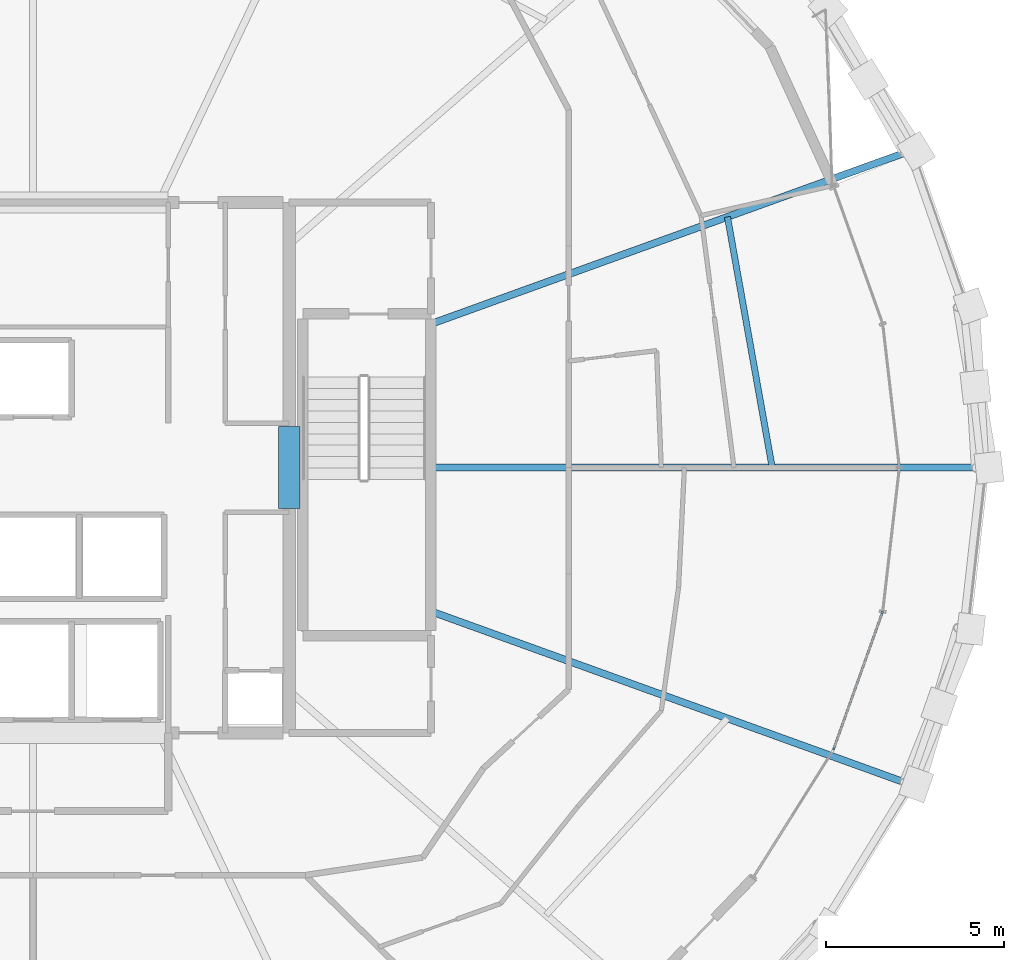
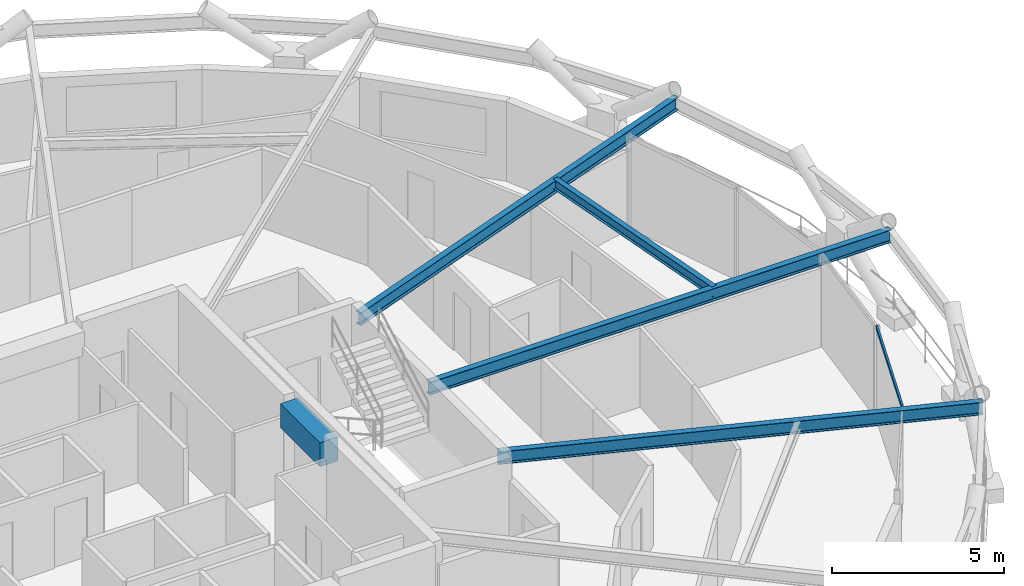
# One storey, part 7 of 16: 5 beams, 1 member, 1 element without a shape of its own.
"""IFC4 building model written with IfcOpenShell, lengths in metres."""

from ifc_helpers import new_model, si_unit, direction, frame, origin, origin_2d, place, context, subcontext, project, spatial, rectangle, hollow_rectangle, i_section, extrude, material, layer, layer_set, material_profile, profile_set, type_object, element, aggregate, save


model = new_model("IFC4")

# Units and contexts
model_context = context("Model", 3, precision=1e-05, world=origin(), true_north=direction((0.0, 1.0)))
body_context = subcontext(model_context, "Body", "Model", "MODEL_VIEW")
ifc_project = project(units=[si_unit("LENGTHUNIT", "METRE"), si_unit("AREAUNIT", "SQUARE_METRE"), si_unit("VOLUMEUNIT", "CUBIC_METRE"), si_unit("PLANEANGLEUNIT", "RADIAN"), si_unit("MASSUNIT", "GRAM", prefix="KILO")], contexts=[model_context])

# Site, building, storey
site_placement = place(None, origin())
site = spatial("IfcSite", under=ifc_project, at=site_placement, CompositionType="ELEMENT")
building_placement = place(site_placement, origin())
building = spatial("IfcBuilding", under=site, at=building_placement, Name="Veldorina Hangang Commons", CompositionType="ELEMENT")
storey_placement = place(building_placement, frame((0.0, 0.0, 192.800048828125)))
storey = spatial("IfcBuildingStorey", under=building, at=storey_placement, Name="L50", CompositionType="ELEMENT", Elevation=192.800048828125)

# Beams
ifc_material_1 = material(Name="Concrete C60/75", Category="concrete")
ifc_material_profile_1 = material_profile(ifc_material_1, rectangle(XDim=0.60009765625, YDim=0.85009765625, at=origin_2d()), Name="RC-CB-600x850")
ifc_profile_set_1 = profile_set([ifc_material_profile_1], Name="Concrete C60/75")
beam_type_1 = type_object("IfcBeamType", Name="BM-CB850", PredefinedType="LINTEL", material=ifc_profile_set_1)
beam_1_placement = place(storey_placement, frame((39.199951171875, 22.85009765625, 2.925048828125), z_axis=(0.0, 1.0, 0.0), x_axis=(-1.0, 0.0, 0.0)))
element("IfcBeam", 1, at=beam_1_placement, inside=storey, type_object=beam_type_1, Name="L50 E core coupling lintel beam", PredefinedType="LINTEL", context=body_context, shape_type="SweptSolid", body=[
    extrude(rectangle(XDim=0.60009765625, YDim=0.85009765625, at=origin_2d()), origin(), (0.0, 0.0, 1.0), 2.2998046875),
])
ifc_material_2 = material(Name="Steel SM355-TMC", Category="steel")
ifc_material_profile_2 = material_profile(ifc_material_2, i_section(OverallWidth=0.199951171875, OverallDepth=0.449951171875, WebThickness=0.009033203125, FlangeThickness=0.013916015625, FilletRadius=0.01611328125, at=origin_2d()), Name="H-450x200x9x14")
ifc_profile_set_2 = profile_set([ifc_material_profile_2], Name="Steel SM355-TMC")
beam_type_2 = type_object("IfcBeamType", Name="BM-FG450", PredefinedType="BEAM", material=ifc_profile_set_2)
beam_2_placement = place(storey_placement, frame((43.179931640625, 24.0, 3.125), z_axis=(1.0, 0.0, 0.0), x_axis=(0.0, 1.0, 0.0)))
element("IfcBeam", 2, at=beam_2_placement, inside=storey, type_object=beam_type_2, Name="L50 radial floor girder 01", PredefinedType="BEAM", context=body_context, shape_type="SweptSolid", body=[
    extrude(i_section(OverallWidth=0.199951171875, OverallDepth=0.449951171875, WebThickness=0.009033203125, FlangeThickness=0.013916015625, FilletRadius=0.01611328125, at=origin_2d()), origin(), (0.0, 0.0, 1.0), 15.466552734375),
])
for number, where, z_axis, x_axis, name in (
    (3, (43.179931640625, 28.037109375, 3.125), (0.940560874687, 0.339625147785, 0.0), (-0.339625147785, 0.940560874687, 0.0), "L50 radial floor girder 02"),
    (4, (43.179931640625, 19.962890625, 3.125), (0.940560874687, -0.339625147785, 0.0), (0.339625147785, 0.940560874687, 0.0), "L50 radial floor girder 16"),
):
    element("IfcBeam", number, at=place(storey_placement, frame(where, z_axis=z_axis, x_axis=x_axis)), inside=storey, type_object=beam_type_2, Name=name, PredefinedType="BEAM", context=body_context, shape_type="SweptSolid", body=[
        extrude(i_section(OverallWidth=0.199951171875, OverallDepth=0.449951171875, WebThickness=0.009033203125, FlangeThickness=0.013916015625, FilletRadius=0.01611328125, at=origin_2d()), origin(), (0.0, 0.0, 1.0), 14.287109375),
    ])
ifc_material_profile_3 = material_profile(ifc_material_2, i_section(OverallWidth=0.175048828125, OverallDepth=0.35009765625, WebThickness=0.007080078125, FlangeThickness=0.010986328125, FilletRadius=0.012939453125, at=origin_2d()), Name="H-350x175x7x11")
ifc_profile_set_3 = profile_set([ifc_material_profile_3], Name="Steel SM355-TMC")
beam_type_3 = type_object("IfcBeamType", Name="BM-JST350", PredefinedType="JOIST", material=ifc_profile_set_3)
beam_3_placement = place(storey_placement, frame((52.769287109375, 24.0, 3.175048828125), z_axis=(-0.175717435735, 0.984440644619, 0.0), x_axis=(-0.984440644619, -0.175717435735, 0.0)))
element("IfcBeam", 5, at=beam_3_placement, inside=storey, type_object=beam_type_3, Name="L50 secondary floor joist 01", PredefinedType="JOIST", context=body_context, shape_type="SweptSolid", body=[
    extrude(i_section(OverallWidth=0.175048828125, OverallDepth=0.35009765625, WebThickness=0.007080078125, FlangeThickness=0.010986328125, FilletRadius=0.012939453125, at=origin_2d()), origin(), (0.0, 0.0, 1.0), 7.15673828125),
])

# Curtain wall, member
ifc_material_3 = material(Name="Glass Low-E Triple IGU", Category="glass")
ifc_layer = layer(ifc_material_3, 0.179931640625)
ifc_layer_set = layer_set([ifc_layer], Name="Glass Low-E Triple IGU")
curtain_wall_type = type_object("IfcCurtainWallType", Name="CW-SYS-Z2", PredefinedType="NOTDEFINED", material=ifc_layer_set)
curtain_wall_placement = place(storey_placement, origin())
curtain_wall = element("IfcCurtainWall", 6, at=curtain_wall_placement, inside=storey, type_object=curtain_wall_type, Name="L50 unitised curtain wall CW-L50-R2", PredefinedType="NOTDEFINED")
ifc_material_4 = material(Name="Aluminium Anodized AA6063-T6", Category="aluminium")
ifc_material_profile_4 = material_profile(ifc_material_4, hollow_rectangle(XDim=0.06005859375, YDim=0.139892578125, WallThickness=0.00341796875, at=origin_2d()), Name="ALU-RHS-140x60x3.5")
ifc_profile_set_4 = profile_set([ifc_material_profile_4], Name="Aluminium Anodized AA6063-T6")
member_type = type_object("IfcMemberType", Name="CW-TRN-140", PredefinedType="USERDEFINED", material=ifc_profile_set_4)
member_placement = place(storey_placement, frame((54.4873046875, 16.071044921875, 3.27001953125), z_axis=(0.33566911516, 0.941979960046, 0.0), x_axis=(-0.941979960046, 0.33566911516, 0.0)))
member = element("IfcMember", 7, at=member_placement, type_object=member_type, Name="CW-L50-R2 facet 2 transom 1", ObjectType="TRANSOM", PredefinedType="USERDEFINED", context=body_context, shape_type="SweptSolid", body=[
    extrude(hollow_rectangle(XDim=0.06005859375, YDim=0.139892578125, WallThickness=0.00341796875, at=origin_2d()), origin(), (0.0, 0.0, 1.0), 4.126220703125),
])
aggregate(curtain_wall, [member])

save(model, "model.ifc")
